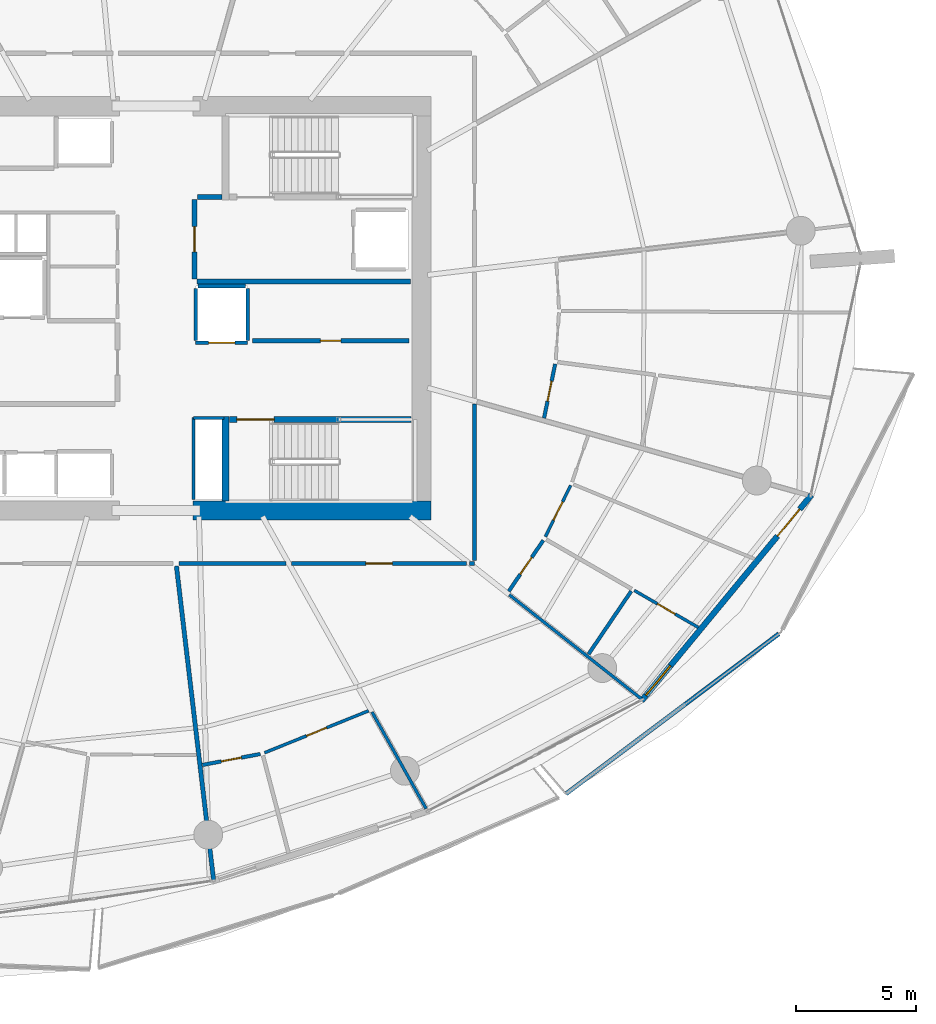
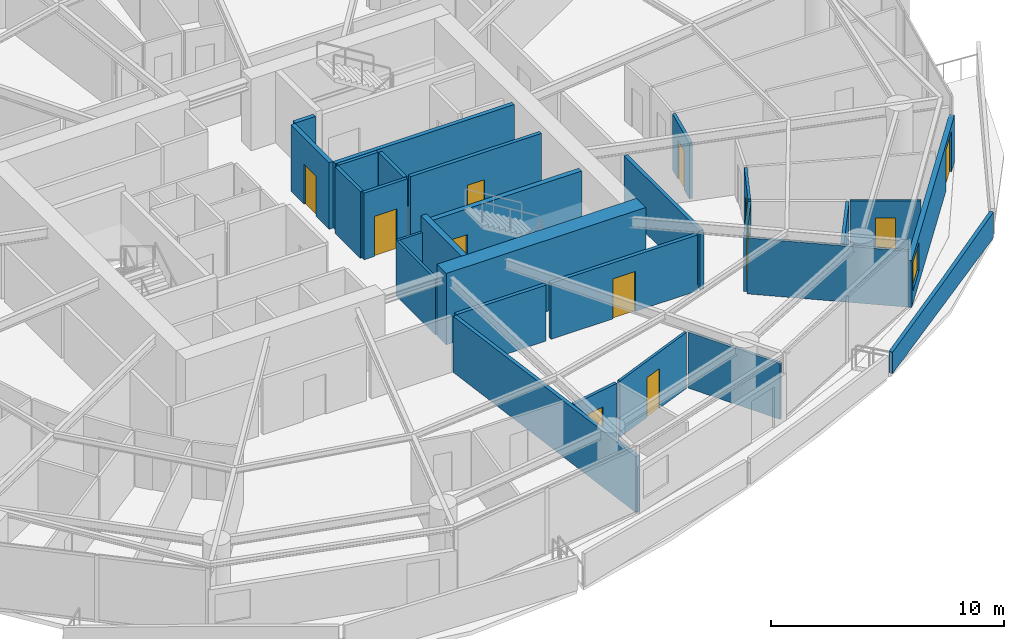
# One storey, part 13 of 23: 29 walls, 12 doors, 1 window, 13 openings.
"""IFC4 building model written with IfcOpenShell, lengths in metres."""

import ifcopenshell
import ifcopenshell.guid

model = None  # the IFC model being written
_history = None  # IfcOwnerHistory: only IFC2X3 demands one
_inside = {}  # id of a spatial element -> (the spatial element, [elements in it])
_under = {}  # id of a project, library or spatial element -> (it, [spatial elements below it])
_declared = {}  # id of a project -> (the project, [libraries it declares])
_typed = {}  # id of a type object -> (the type object, [elements of that type])
_made_of = {}  # id of a material, layer set ... -> (it, [elements and type objects made of it])


def new_model(schema):
    """Start an empty IFC model of exactly this schema.

    Asked for "IFC4X3", IfcOpenShell would pick the latest addendum, in which some entities
    have other attributes; the version numbers below select the first issue.
    IFC2X3 requires an IfcOwnerHistory on every rooted entity: one is made here for all.
    """
    global model, _history
    if schema == "IFC4X3":
        model = ifcopenshell.file(schema_version=(4, 3, 0, 0))
    else:
        model = ifcopenshell.file(schema=schema)
    _inside.clear()
    _under.clear()
    _declared.clear()
    _typed.clear()
    _made_of.clear()
    _history = None
    if model.schema == "IFC2X3":
        org = make("IfcOrganization", Name="unknown")
        user = make(
            "IfcPersonAndOrganization",
            ThePerson=make("IfcPerson", FamilyName="unknown"),
            TheOrganization=org,
        )
        app = make(
            "IfcApplication",
            ApplicationDeveloper=org,
            Version="unknown",
            ApplicationFullName="unknown",
            ApplicationIdentifier="unknown",
        )
        _history = make(
            "IfcOwnerHistory",
            OwningUser=user,
            OwningApplication=app,
            ChangeAction="ADDED",
            CreationDate=0,
        )
    return model


def make(cls, **values):
    """One entity of the class cls with the attributes given. An attribute that is None is left unset."""
    return model.create_entity(
        cls, **{name: value for name, value in values.items() if value is not None}
    )


def rooted(cls, **values):
    """An entity with a GlobalId (a new one), such as an element, a storey or a relation."""
    return make(cls, GlobalId=ifcopenshell.guid.new(), OwnerHistory=_history, **values)


def si_unit(unit_type, name, prefix=None):
    """IfcSIUnit, for example si_unit("LENGTHUNIT", "METRE", prefix="MILLI")."""
    return make("IfcSIUnit", UnitType=unit_type, Prefix=prefix, Name=name)


def assignment(units):
    """IfcUnitAssignment: the units of a project."""
    return None if units is None else make("IfcUnitAssignment", Units=units)


def point(xyz):
    """IfcCartesianPoint."""
    return None if xyz is None else make("IfcCartesianPoint", Coordinates=xyz)


def direction(xyz):
    """IfcDirection."""
    return None if xyz is None else make("IfcDirection", DirectionRatios=xyz)


def frame(location, z_axis=None, x_axis=None):
    """IfcAxis2Placement3D, a coordinate frame: its origin and axes. An axis left out is left unset."""
    return make(
        "IfcAxis2Placement3D",
        Location=point(location),
        Axis=direction(z_axis),
        RefDirection=direction(x_axis),
    )


def frame_2d(location, x_axis=None):
    """IfcAxis2Placement2D, a coordinate frame in the plane: its origin and x axis."""
    return make(
        "IfcAxis2Placement2D", Location=point(location), RefDirection=direction(x_axis)
    )


def origin():
    """The frame at (0, 0, 0) with its axes left unset."""
    return frame((0.0, 0.0, 0.0))


def place(relative_to, where):
    """IfcLocalPlacement: puts the frame where relative to a parent placement (None: the world)."""
    return make(
        "IfcLocalPlacement", PlacementRelTo=relative_to, RelativePlacement=where
    )


def context(
    kind, dimensions, precision=None, world=None, true_north=None, identifier=None
):
    """IfcGeometricRepresentationContext, for example the 3D "Model" context."""
    return make(
        "IfcGeometricRepresentationContext",
        ContextIdentifier=identifier,
        ContextType=kind,
        CoordinateSpaceDimension=dimensions,
        Precision=precision,
        WorldCoordinateSystem=world,
        TrueNorth=true_north,
    )


def subcontext(parent, identifier, kind, view, scale=None):
    """IfcGeometricRepresentationSubContext, for example "Body" below "Model"."""
    return make(
        "IfcGeometricRepresentationSubContext",
        ContextIdentifier=identifier,
        ContextType=kind,
        ParentContext=parent,
        TargetScale=scale,
        TargetView=view,
    )


def project(units=None, contexts=None):
    """IfcProject with its units and contexts."""
    return rooted(
        "IfcProject",
        Name="project",
        RepresentationContexts=contexts,
        UnitsInContext=assignment(units),
    )


def spatial(cls, under=None, at=None, **own):
    """A site, building, storey or space (cls), placed at a placement, below another one or the project."""
    s = rooted(cls, ObjectPlacement=at, **own)
    if under is not None:
        _under.setdefault(under.id(), (under, []))[1].append(s)
    return s


def polyline(points):
    """IfcPolyline through the points."""
    return make("IfcPolyline", Points=[point(p) for p in points])


def profile(cls, at=None, kind="AREA", **sizes):
    """A parametric profile (cls). Its sizes go by their IFC names, for example OverallWidth=200.0."""
    return make(cls, ProfileType=kind, Position=at, **sizes)


def rectangle(**sizes):
    """IfcRectangleProfileDef."""
    return profile("IfcRectangleProfileDef", **sizes)


def outline(outer, holes=None, kind="AREA"):
    """IfcArbitraryClosedProfileDef: a profile drawn as a closed curve; with holes, ...WithVoids."""
    if holes is None:
        return make("IfcArbitraryClosedProfileDef", ProfileType=kind, OuterCurve=outer)
    return make(
        "IfcArbitraryProfileDefWithVoids",
        ProfileType=kind,
        OuterCurve=outer,
        InnerCurves=holes,
    )


def extrude(swept, where, along, depth):
    """IfcExtrudedAreaSolid: the profile swept, set in the frame where, extruded along a direction by depth."""
    return make(
        "IfcExtrudedAreaSolid",
        SweptArea=swept,
        Position=where,
        ExtrudedDirection=direction(along),
        Depth=depth,
    )


def shape(context_of_items, identifier, shape_type, items):
    """IfcShapeRepresentation: the items that make up one representation, for example the "Body"."""
    return make(
        "IfcShapeRepresentation",
        ContextOfItems=context_of_items,
        RepresentationIdentifier=identifier,
        RepresentationType=shape_type,
        Items=items,
    )


def material(Name=None, Category=None):
    """IfcMaterial."""
    return make("IfcMaterial", Name=Name, Category=Category)


def layer(
    of_material, thickness, ventilated=None, Name=None, Category=None, Priority=None
):
    """IfcMaterialLayer: one layer of a wall or slab, of a material (None: an air gap)."""
    return make(
        "IfcMaterialLayer",
        Material=of_material,
        LayerThickness=thickness,
        IsVentilated=ventilated,
        Name=Name,
        Category=Category,
        Priority=Priority,
    )


def layer_set(layers, Name=None):
    """IfcMaterialLayerSet."""
    return make("IfcMaterialLayerSet", MaterialLayers=layers, LayerSetName=Name)


def made_of(thing, what):
    """Note that an element or type object is made of a material, layer set ...; save() writes the relation."""
    if what is not None:
        _made_of.setdefault(what.id(), (what, []))[1].append(thing)
    return thing


def type_object(cls, material=None, **own):
    """A type object (cls), such as IfcWallType, which elements share."""
    return made_of(rooted(cls, **own), material)


def element(
    cls,
    number,
    at=None,
    inside=None,
    cuts=None,
    type_object=None,
    material=None,
    context=None,
    identifier="Body",
    shape_type=None,
    held_by="IfcProductDefinitionShape",
    body=None,
    shapes=None,
    **own,
):
    """One element of the class cls, such as IfcWall. Its Tag is "e" and its number.

    at: its placement. inside: the storey or other place that contains it. cuts: it is an
    opening in that element (IfcRelVoidsElement). A single representation is given by context,
    identifier, shape_type and body (its items); several are given by shapes. held_by: the class
    of the entity that holds the representations. save() writes the other relations.
    """
    e = rooted(cls, Tag="e%d" % number, ObjectPlacement=at, **own)
    if body is not None:
        shapes = [shape(context, identifier, shape_type, body)]
    if shapes is not None:
        e.Representation = make(held_by, Representations=shapes)
    if inside is not None:
        _inside.setdefault(inside.id(), (inside, []))[1].append(e)
    if cuts is not None:
        rooted(
            "IfcRelVoidsElement", RelatingBuildingElement=cuts, RelatedOpeningElement=e
        )
    if type_object is not None:
        _typed.setdefault(type_object.id(), (type_object, []))[1].append(e)
    return made_of(e, material)


def fill(opening, filler):
    """IfcRelFillsElement: the door or window that sits in an opening."""
    return rooted(
        "IfcRelFillsElement",
        RelatingOpeningElement=opening,
        RelatedBuildingElement=filler,
    )


def aggregate(whole, parts):
    """IfcRelAggregates: a whole, such as a stair, and the parts it consists of."""
    return rooted("IfcRelAggregates", RelatingObject=whole, RelatedObjects=parts)


def save(model, path):
    """Write the relations noted so far, then the file.

    IfcRelAggregates (storeys below a building ...), IfcRelContainedInSpatialStructure (elements
    in a storey), IfcRelDefinesByType, IfcRelAssociatesMaterial and IfcRelDeclares: one each for
    every whole, place, type object, material and project.
    """
    for whole, parts in _under.values():
        aggregate(whole, parts)
    for where, things in _inside.values():
        rooted(
            "IfcRelContainedInSpatialStructure",
            RelatedElements=things,
            RelatingStructure=where,
        )
    for kind, things in _typed.values():
        rooted("IfcRelDefinesByType", RelatedObjects=things, RelatingType=kind)
    for what, things in _made_of.values():
        rooted("IfcRelAssociatesMaterial", RelatedObjects=things, RelatingMaterial=what)
    for by, libraries in _declared.values():
        rooted("IfcRelDeclares", RelatingContext=by, RelatedDefinitions=libraries)
    model.write(path)


model = new_model("IFC4")

# Units and contexts
model_context = context("Model", 3, precision=1e-05, world=origin(), true_north=direction((0.0, 1.0)))
body_context = subcontext(model_context, "Body", "Model", "MODEL_VIEW")
ifc_project = project(units=[si_unit("LENGTHUNIT", "METRE"), si_unit("AREAUNIT", "SQUARE_METRE"), si_unit("VOLUMEUNIT", "CUBIC_METRE"), si_unit("PLANEANGLEUNIT", "RADIAN"), si_unit("MASSUNIT", "GRAM", prefix="KILO")], contexts=[model_context])

# Site, building, storey
site_placement = place(None, origin())
site = spatial("IfcSite", under=ifc_project, at=site_placement, CompositionType="ELEMENT")
building_placement = place(site_placement, origin())
building = spatial("IfcBuilding", under=site, at=building_placement, Name="Kazma Halo Residences", CompositionType="ELEMENT")
storey_placement = place(building_placement, frame((0.0, 0.0, 82.64990234375)))
storey = spatial("IfcBuildingStorey", under=building, at=storey_placement, Name="L20", CompositionType="ELEMENT", Elevation=82.64990234375)

# Walls
ifc_material_1 = material(Name="White Concrete C50/60 Balustrade", Category="concrete")
ifc_layer_1 = layer(ifc_material_1, 0.179931640625)
ifc_layer_set_1 = layer_set([ifc_layer_1], Name="White Concrete C50/60 Balustrade")
wall_type_1 = type_object("IfcWallType", Name="WL-BAL-WAVE-180", PredefinedType="PARAPET", material=ifc_layer_set_1)
wall_1_placement = place(storey_placement, frame((65.44580078125, 21.82470703125, 0.0), z_axis=(0.0, 0.0, 1.0), x_axis=(0.799377932659, 0.600828528598, 0.0)))
element("IfcWall", 1, at=wall_1_placement, inside=storey, type_object=wall_type_1, Name="L20 white wave balustrade wall SE.1", PredefinedType="PARAPET", context=body_context, shape_type="SweptSolid", body=[
    extrude(outline(polyline([(0.0, 0.0), (11.0751953125, 0.0), (11.075439453125, 1.34814453125), (5.53759765625, 1.18212890625), (0.0, 1.1201171875), (0.0, 0.0)])), frame((0.0, 0.08984375, 0.0), z_axis=(0.0, -1.0, 0.0), x_axis=(1.0, 0.0, 0.0)), (0.0, 0.0, 1.0), 0.179931640625),
])
ifc_material_2 = material(Name="Concrete C80/95", Category="concrete")
ifc_layer_2 = layer(ifc_material_2, 0.800048828125)
ifc_layer_set_2 = layer_set([ifc_layer_2], Name="Concrete C80/95")
wall_type_2 = type_object("IfcWallType", Name="WL-CORE-800", PredefinedType="SHEAR", material=ifc_layer_set_2)
wall_2_placement = place(storey_placement, frame((49.949951171875, 33.60009765625, 0.0), z_axis=(0.0, 0.0, 1.0), x_axis=(1.0, 0.0, 0.0)))
element("IfcWall", 2, at=wall_2_placement, inside=storey, type_object=wall_type_2, Name="L20 central core shear wall SE", PredefinedType="SHEAR", context=body_context, shape_type="SweptSolid", body=[
    extrude(rectangle(XDim=9.900146484375, YDim=0.800048828125, at=frame_2d((4.9501953125, 0.0))), origin(), (0.0, 0.0, 1.0), 3.75),
])
ifc_material_3 = material(Name="Concrete C60/75", Category="concrete")
ifc_layer_3 = layer(ifc_material_3, 0.280029296875)
ifc_layer_set_3 = layer_set([ifc_layer_3], Name="Concrete C60/75")
wall_type_3 = type_object("IfcWallType", Name="WL-CORE-ST-280", PredefinedType="SHEAR", material=ifc_layer_set_3)
wall_3_placement = place(storey_placement, frame((51.31005859375, 34.0, 0.0), z_axis=(0.0, 0.0, 1.0), x_axis=(0.0, 1.0, 0.0)))
element("IfcWall", 3, at=wall_3_placement, inside=storey, type_object=wall_type_3, Name="L20 stairwell bearing wall ST03-W", PredefinedType="SHEAR", context=body_context, shape_type="SweptSolid", body=[
    extrude(rectangle(XDim=3.5, YDim=0.280029296875, at=frame_2d((1.75, 0.0))), origin(), (0.0, 0.0, 1.0), 3.75),
])
ifc_material_4 = material(Name="Acoustic Twin-Stud Gypsum")
ifc_layer_4 = layer(ifc_material_4, 0.179931640625)
ifc_layer_set_4 = layer_set([ifc_layer_4], Name="Acoustic Twin-Stud Gypsum")
wall_type_4 = type_object("IfcWallType", Name="WL-DEM-180", PredefinedType="PARTITIONING", material=ifc_layer_set_4)
wall_4_placement = place(storey_placement, frame((49.267578125, 31.290771484375, 0.0), z_axis=(0.0, 0.0, 1.0), x_axis=(0.117532311618, -0.993069058891, 0.0)))
element("IfcWall", 4, at=wall_4_placement, inside=storey, type_object=wall_type_4, Name="L20 apartment demising radial wall 11", PredefinedType="PARTITIONING", context=body_context, shape_type="SweptSolid", body=[
    extrude(rectangle(XDim=13.138427734375, YDim=0.179931640625, at=frame_2d((6.5693359375, 0.0))), origin(), (0.0, 0.0, 1.0), 2.940185546875),
])

# Wall, opening, door
wall_5_placement = place(storey_placement, frame((54.056396484375, 31.39990234375, 0.0), z_axis=(0.0, 0.0, 1.0), x_axis=(1.0, 0.0, 0.0)))
wall_5 = element("IfcWall", 5, at=wall_5_placement, inside=storey, type_object=wall_type_4, Name="L20 Apartment 3 entrance corridor wall", PredefinedType="PARTITIONING", context=body_context, shape_type="SweptSolid", body=[
    extrude(rectangle(XDim=7.26953125, YDim=0.179931640625, at=frame_2d((3.634765625, 0.0))), origin(), (0.0, 0.0, 1.0), 2.940185546875),
])
opening_1_placement = place(wall_5_placement, frame((3.0849609375, 0.0, 0.0)))
opening_1 = element("IfcOpeningElement", 6, at=opening_1_placement, cuts=wall_5, Name="Opening DA-1100", PredefinedType="OPENING", context=body_context, shape_type="SweptSolid", body=[
    extrude(rectangle(XDim=1.10009765625, YDim=2.10009765625, at=frame_2d((0.550048828125, 1.050048828125))), frame((0.0, 0.099853515625, 0.0), z_axis=(0.0, -1.0, 0.0), x_axis=(1.0, 0.0, 0.0)), (0.0, 0.0, 1.0), 0.199951171875),
])
ifc_material_5 = material(Name="Acoustic Walnut Fire Leaf")
door_type_1 = type_object("IfcDoorType", Name="DR-FD60-1100", OperationType="NOTDEFINED", PredefinedType="DOOR", material=ifc_material_5)
door_1_placement = place(opening_1_placement, origin())
door_1 = element("IfcDoor", 7, at=door_1_placement, inside=storey, type_object=door_type_1, Name="L20 Apartment 3 entrance fire door", OperationType="SINGLE_SWING_RIGHT", OverallHeight=2.10009765625, OverallWidth=1.10009765625, PredefinedType="DOOR", context=body_context, shape_type="SweptSolid", body=[
    extrude(rectangle(XDim=1.10009765625, YDim=2.10009765625, at=frame_2d((0.550048828125, 1.050048828125))), frame((0.0, 0.02490234375, 0.0), z_axis=(0.0, -1.0, 0.0), x_axis=(1.0, 0.0, 0.0)), (0.0, 0.0, 1.0), 0.050048828125),
])
fill(opening_1, door_1)

# Walls
wall_6_placement = place(storey_placement, frame((49.37451171875, 31.39990234375, 0.0), z_axis=(0.0, 0.0, 1.0), x_axis=(1.0, 0.0, 0.0)))
element("IfcWall", 8, at=wall_6_placement, inside=storey, type_object=wall_type_4, Name="L20 Apartment 3 inner wall 11", PredefinedType="PARTITIONING", context=body_context, shape_type="SweptSolid", body=[
    extrude(rectangle(XDim=4.44189453125, YDim=0.179931640625, at=frame_2d((2.220947265625, 0.0))), origin(), (0.0, 0.0, 1.0), 2.940185546875),
])
wall_7_placement = place(storey_placement, frame((61.446044921875, 31.39990234375, 0.0), z_axis=(0.0, 0.0, 1.0), x_axis=(1.0, 0.0, 0.0)))
element("IfcWall", 9, at=wall_7_placement, inside=storey, type_object=wall_type_4, Name="L20 Apartment 3 inner wall 13", PredefinedType="PARTITIONING", context=body_context, shape_type="SweptSolid", body=[
    extrude(rectangle(XDim=0.203857421875, YDim=0.179931640625, at=frame_2d((0.10205078125, 0.0))), origin(), (0.0, 0.0, 1.0), 2.940185546875),
])
wall_8_placement = place(storey_placement, frame((61.64990234375, 31.52001953125, 0.0), z_axis=(0.0, 0.0, 1.0), x_axis=(0.0, 1.0, 0.0)))
element("IfcWall", 10, at=wall_8_placement, inside=storey, type_object=wall_type_4, Name="L20 Apartment 3 inner wall 13", PredefinedType="PARTITIONING", context=body_context, shape_type="SweptSolid", body=[
    extrude(rectangle(XDim=6.51025390625, YDim=0.179931640625, at=frame_2d((3.255126953125, 0.0))), origin(), (0.0, 0.0, 1.0), 2.940185546875),
])

# Wall, openings, door, window
ifc_material_6 = material(Name="Insulated Pale-Metal Composite Wall")
ifc_layer_5 = layer(ifc_material_6, 0.239990234375)
ifc_layer_set_5 = layer_set([ifc_layer_5], Name="Insulated Pale-Metal Composite Wall")
wall_type_5 = type_object("IfcWallType", Name="WL-EXT-HOST-240", PredefinedType="SOLIDWALL", material=ifc_layer_set_5)
wall_9_placement = place(storey_placement, frame((68.593017578125, 25.7021484375, 0.0), z_axis=(0.0, 0.0, 1.0), x_axis=(0.636704975, 0.771107498868, 0.0)))
wall_9 = element("IfcWall", 11, at=wall_9_placement, inside=storey, type_object=wall_type_5, Name="L20 exterior terrace-access wall B14", PredefinedType="SOLIDWALL", context=body_context, shape_type="SweptSolid", body=[
    extrude(rectangle(XDim=11.084228515625, YDim=0.239990234375, at=frame_2d((5.5419921875, 0.0))), origin(), (0.0, 0.0, 1.0), 2.4501953125),
])
opening_2_placement = place(wall_9_placement, frame((8.8642578125, 0.0, 0.0)))
opening_2 = element("IfcOpeningElement", 12, at=opening_2_placement, cuts=wall_9, Name="Opening DTR-1600", PredefinedType="OPENING", context=body_context, shape_type="SweptSolid", body=[
    extrude(rectangle(XDim=1.449951171875, YDim=2.14990234375, at=frame_2d((0.72509765625, 1.074951171875))), frame((0.0, 0.1298828125, 0.0), z_axis=(0.0, -1.0, 0.0), x_axis=(1.0, 0.0, 0.0)), (0.0, 0.0, 1.0), 0.260009765625),
])
opening_3_placement = place(wall_9_placement, frame((0.280029296875, 0.0, 0.64990234375)))
opening_3 = element("IfcOpeningElement", 13, at=opening_3_placement, cuts=wall_9, Name="Opening W-1800", PredefinedType="OPENING", context=body_context, shape_type="SweptSolid", body=[
    extrude(rectangle(XDim=1.60009765625, YDim=1.5, at=frame_2d((0.800048828125, 0.75))), frame((0.0, 0.1298828125, 0.0), z_axis=(0.0, -1.0, 0.0), x_axis=(1.0, 0.0, 0.0)), (0.0, 0.0, 1.0), 0.260009765625),
])
ifc_material_7 = material(Name="Aluminium AW-6063 T6 Double-Glazed Terrace Door", Category="aluminium")
door_type_2 = type_object("IfcDoorType", Name="DR-EXT-TERR-1600", OperationType="NOTDEFINED", PredefinedType="DOOR", material=ifc_material_7)
door_2_placement = place(opening_2_placement, origin())
door_2 = element("IfcDoor", 14, at=door_2_placement, inside=storey, type_object=door_type_2, Name="L20 B14 balcony terrace door", OperationType="DOUBLE_DOOR_SLIDING", OverallHeight=2.14990234375, OverallWidth=1.449951171875, PredefinedType="DOOR", context=body_context, shape_type="SweptSolid", body=[
    extrude(rectangle(XDim=1.449951171875, YDim=2.14990234375, at=frame_2d((0.72509765625, 1.074951171875))), frame((0.0, 0.02490234375, 0.0), z_axis=(0.0, -1.0, 0.0), x_axis=(1.0, 0.0, 0.0)), (0.0, 0.0, 1.0), 0.050048828125),
])
fill(opening_2, door_2)
ifc_material_8 = material(Name="Clear Triple-Silver Low-E Glass in Aluminium AW-6063 T6 Frame", Category="aluminium")
window_type = type_object("IfcWindowType", Name="WIN-RES-1800", PartitioningType="DOUBLE_PANEL_VERTICAL", PredefinedType="WINDOW", material=ifc_material_8)
window_placement = place(opening_3_placement, origin())
window = element("IfcWindow", 15, at=window_placement, inside=storey, type_object=window_type, Name="L20 B14 apartment window", OverallHeight=1.5, OverallWidth=1.60009765625, PartitioningType="SINGLE_PANEL", PredefinedType="WINDOW", context=body_context, shape_type="SweptSolid", body=[
    extrude(rectangle(XDim=1.60009765625, YDim=1.5, at=frame_2d((0.800048828125, 0.75))), frame((0.0, 0.030029296875, 0.0), z_axis=(0.0, -1.0, 0.0), x_axis=(1.0, 0.0, 0.0)), (0.0, 0.0, 1.0), 0.06005859375),
])
fill(opening_3, window)

# Wall, opening, door
ifc_material_9 = material(Name="Fire-Rated Blockwork Masonry", Category="masonry")
ifc_layer_6 = layer(ifc_material_9, 0.199951171875)
ifc_layer_set_6 = layer_set([ifc_layer_6], Name="Fire-Rated Blockwork Masonry")
wall_type_6 = type_object("IfcWallType", Name="WL-FLB-200", PredefinedType="PARTITIONING", material=ifc_layer_set_6)
wall_10_placement = place(storey_placement, frame((52.22998046875, 40.570068359375, 0.0), z_axis=(0.0, 0.0, 1.0), x_axis=(-1.0, 0.0, 0.0)))
wall_10 = element("IfcWall", 16, at=wall_10_placement, inside=storey, type_object=wall_type_6, Name="L20 lift shaft SV-01 front wall", PredefinedType="PARTITIONING", context=body_context, shape_type="SweptSolid", body=[
    extrude(rectangle(XDim=2.159912109375, YDim=0.159912109375, at=frame_2d((1.080078125, 0.0))), origin(), (0.0, 0.0, 1.0), 3.5),
])
opening_4_placement = place(wall_10_placement, frame((0.530029296875, 0.0, 0.0)))
opening_4 = element("IfcOpeningElement", 17, at=opening_4_placement, cuts=wall_10, Name="Opening LD-SV-01", PredefinedType="OPENING", context=body_context, shape_type="SweptSolid", body=[
    extrude(rectangle(XDim=1.10009765625, YDim=2.10009765625, at=frame_2d((0.550048828125, 1.050048828125))), frame((0.0, 0.08984375, 0.0), z_axis=(0.0, -1.0, 0.0), x_axis=(1.0, 0.0, 0.0)), (0.0, 0.0, 1.0), 0.179931640625),
])
ifc_material_10 = material(Name="Stainless Steel Fire-Rated", Category="steel")
door_type_3 = type_object("IfcDoorType", Name="DR-LIFT-SLD-1100", OperationType="DOUBLE_DOOR_SLIDING", PredefinedType="DOOR", material=ifc_material_10)
door_3_placement = place(opening_4_placement, origin())
door_3 = element("IfcDoor", 18, at=door_3_placement, inside=storey, type_object=door_type_3, Name="L20 lift SV-01 sliding landing door", OperationType="DOUBLE_DOOR_SLIDING", OverallHeight=2.10009765625, OverallWidth=1.10009765625, PredefinedType="DOOR", context=body_context, shape_type="SweptSolid", body=[
    extrude(rectangle(XDim=1.10009765625, YDim=2.10009765625, at=frame_2d((0.550048828125, 1.050048828125))), frame((0.0, 0.02490234375, 0.0), z_axis=(0.0, -1.0, 0.0), x_axis=(1.0, 0.0, 0.0)), (0.0, 0.0, 1.0), 0.050048828125),
])
fill(opening_4, door_3)

# Walls
for number, where, z_axis, x_axis, name in (
    (19, (52.22998046875, 40.669921875, 0.0), (0.0, 0.0, 1.0), (0.0, 1.0, 0.0), "L20 lift shaft SV-01 side wall E"),
    (20, (50.070068359375, 40.669921875, 0.0), (0.0, 0.0, 1.0), (0.0, 1.0, 0.0), "L20 lift shaft SV-01 side wall W"),
):
    element("IfcWall", number, at=place(storey_placement, frame(where, z_axis=z_axis, x_axis=x_axis)), inside=storey, type_object=wall_type_6, Name=name, PredefinedType="PARTITIONING", context=body_context, shape_type="SweptSolid", body=[
        extrude(rectangle(XDim=2.16015625, YDim=0.159912109375, at=frame_2d((1.080078125, 0.0))), origin(), (0.0, 0.0, 1.0), 3.5),
    ])
wall_11_placement = place(storey_placement, frame((50.169921875, 42.929931640625, 0.0), z_axis=(0.0, 0.0, 1.0), x_axis=(1.0, 0.0, 0.0)))
element("IfcWall", 21, at=wall_11_placement, inside=storey, type_object=wall_type_6, Name="L20 lift shaft SV-01 side wall N", PredefinedType="PARTITIONING", context=body_context, shape_type="SweptSolid", body=[
    extrude(rectangle(XDim=1.9599609375, YDim=0.159912109375, at=frame_2d((0.97998046875, 0.0))), origin(), (0.0, 0.0, 1.0), 3.5),
])

# Wall, opening, door
wall_12_placement = place(storey_placement, frame((52.419921875, 40.64990234375, 0.0), z_axis=(0.0, 0.0, 1.0), x_axis=(1.0, 0.0, 0.0)))
wall_12 = element("IfcWall", 22, at=wall_12_placement, inside=storey, type_object=wall_type_6, Name="L20 core east reserve wall", PredefinedType="PARTITIONING", context=body_context, shape_type="SweptSolid", body=[
    extrude(rectangle(XDim=6.5, YDim=0.179931640625, at=frame_2d((3.25, 0.0))), origin(), (0.0, 0.0, 1.0), 3.5),
])
opening_5_placement = place(wall_12_placement, frame((2.824951171875, 0.0, 0.0)))
opening_5 = element("IfcOpeningElement", 23, at=opening_5_placement, cuts=wall_12, Name="Opening DS-850", PredefinedType="OPENING", context=body_context, shape_type="SweptSolid", body=[
    extrude(rectangle(XDim=0.85009765625, YDim=2.06005859375, at=frame_2d((0.425048828125, 1.030029296875))), frame((0.0, 0.099853515625, 0.0), z_axis=(0.0, -1.0, 0.0), x_axis=(1.0, 0.0, 0.0)), (0.0, 0.0, 1.0), 0.199951171875),
])
ifc_material_11 = material(Name="Painted Steel Access Leaf", Category="steel")
door_type_4 = type_object("IfcDoorType", Name="DR-SVC-850", OperationType="NOTDEFINED", PredefinedType="DOOR", material=ifc_material_11)
door_4_placement = place(opening_5_placement, origin())
door_4 = element("IfcDoor", 24, at=door_4_placement, inside=storey, type_object=door_type_4, Name="L20 core east reserve door", OperationType="SINGLE_SWING_LEFT", OverallHeight=2.06005859375, OverallWidth=0.85009765625, PredefinedType="DOOR", context=body_context, shape_type="SweptSolid", body=[
    extrude(rectangle(XDim=0.85009765625, YDim=2.06005859375, at=frame_2d((0.425048828125, 1.030029296875))), frame((0.0, 0.02490234375, 0.0), z_axis=(0.0, -1.0, 0.0), x_axis=(1.0, 0.0, 0.0)), (0.0, 0.0, 1.0), 0.050048828125),
])
fill(opening_5, door_4)

# Walls
wall_13_placement = place(storey_placement, frame((50.1201171875, 43.1201171875, 0.0), z_axis=(0.0, 0.0, 1.0), x_axis=(1.0, 0.0, 0.0)))
element("IfcWall", 25, at=wall_13_placement, inside=storey, type_object=wall_type_6, Name="L20 east firefighting lobby south smoke wall", PredefinedType="PARTITIONING", context=body_context, shape_type="SweptSolid", body=[
    extrude(rectangle(XDim=8.8798828125, YDim=0.199951171875, at=frame_2d((4.43994140625, 0.0))), origin(), (0.0, 0.0, 1.0), 3.5),
])
wall_14_placement = place(storey_placement, frame((50.139892578125, 46.6201171875, 0.0), z_axis=(0.0, 0.0, 1.0), x_axis=(1.0, 0.0, 0.0)))
element("IfcWall", 26, at=wall_14_placement, inside=storey, type_object=wall_type_6, Name="L20 east firefighting lobby north closure wall", PredefinedType="PARTITIONING", context=body_context, shape_type="SweptSolid", body=[
    extrude(rectangle(XDim=1.02001953125, YDim=0.199951171875, at=frame_2d((0.510009765625, 0.0))), origin(), (0.0, 0.0, 1.0), 3.5),
])

# Wall, opening, door
wall_15_placement = place(storey_placement, frame((50.02001953125, 43.219970703125, 0.0), z_axis=(0.0, 0.0, 1.0), x_axis=(0.0, 1.0, 0.0)))
wall_15 = element("IfcWall", 27, at=wall_15_placement, inside=storey, type_object=wall_type_6, Name="L20 east firefighting lobby smoke wall", PredefinedType="PARTITIONING", context=body_context, shape_type="SweptSolid", body=[
    extrude(rectangle(XDim=3.300048828125, YDim=0.199951171875, at=frame_2d((1.64990234375, 0.0))), origin(), (0.0, 0.0, 1.0), 3.5),
])
opening_6_placement = place(wall_15_placement, frame((1.125, 0.0, 0.0)))
opening_6 = element("IfcOpeningElement", 28, at=opening_6_placement, cuts=wall_15, Name="Opening D-FLE", PredefinedType="OPENING", context=body_context, shape_type="SweptSolid", body=[
    extrude(rectangle(XDim=1.050048828125, YDim=2.10009765625, at=frame_2d((0.52490234375, 1.050048828125))), frame((0.0, 0.10986328125, 0.0), z_axis=(0.0, -1.0, 0.0), x_axis=(1.0, 0.0, 0.0)), (0.0, 0.0, 1.0), 0.219970703125),
])
ifc_material_12 = material(Name="Fire-Rated Steel Leaf", Category="steel")
door_type_5 = type_object("IfcDoorType", Name="DR-FD90-1050", OperationType="NOTDEFINED", PredefinedType="DOOR", material=ifc_material_12)
door_5_placement = place(opening_6_placement, origin())
door_5 = element("IfcDoor", 29, at=door_5_placement, inside=storey, type_object=door_type_5, Name="L20 east firefighting lobby smoke door", OperationType="SINGLE_SWING_RIGHT", OverallHeight=2.10009765625, OverallWidth=1.050048828125, PredefinedType="DOOR", context=body_context, shape_type="SweptSolid", body=[
    extrude(rectangle(XDim=1.050048828125, YDim=2.10009765625, at=frame_2d((0.52490234375, 1.050048828125))), frame((0.0, 0.02490234375, 0.0), z_axis=(0.0, -1.0, 0.0), x_axis=(1.0, 0.0, 0.0)), (0.0, 0.0, 1.0), 0.050048828125),
])
fill(opening_6, door_5)

# Walls
ifc_material_13 = material(Name="Gypsum Plasterboard Partition")
ifc_layer_7 = layer(ifc_material_13, 0.125)
ifc_layer_set_7 = layer_set([ifc_layer_7], Name="Gypsum Plasterboard Partition")
wall_type_7 = type_object("IfcWallType", Name="WL-PART-125", PredefinedType="PARTITIONING", material=ifc_layer_set_7)
wall_16_placement = place(storey_placement, frame((49.97998046875, 34.06005859375, 0.0), z_axis=(0.0, 0.0, 1.0), x_axis=(0.0, 1.0, 0.0)))
element("IfcWall", 30, at=wall_16_placement, inside=storey, type_object=wall_type_7, Name="L20 standpipe riser wall", PredefinedType="PARTITIONING", context=body_context, shape_type="SweptSolid", body=[
    extrude(rectangle(XDim=3.39990234375, YDim=0.125, at=frame_2d((1.699951171875, 0.0))), origin(), (0.0, 0.0, 1.0), 2.940185546875),
])
wall_17_placement = place(storey_placement, frame((49.97998046875, 37.43994140625, 0.0), z_axis=(0.0, 0.0, 1.0), x_axis=(1.0, 0.0, 0.0)))
element("IfcWall", 31, at=wall_17_placement, inside=storey, type_object=wall_type_7, Name="L20 standpipe riser north wall", PredefinedType="PARTITIONING", context=body_context, shape_type="SweptSolid", body=[
    extrude(rectangle(XDim=1.260009765625, YDim=0.125, at=frame_2d((0.6298828125, 0.0))), origin(), (0.0, 0.0, 1.0), 2.940185546875),
])
wall_18_placement = place(storey_placement, frame((57.392333984375, 25.22900390625, 0.0), z_axis=(0.0, 0.0, 1.0), x_axis=(0.488604984913, -0.872505110998, 0.0)))
element("IfcWall", 32, at=wall_18_placement, inside=storey, type_object=wall_type_7, Name="L20 Apartment 3 living radial partition 11", PredefinedType="PARTITIONING", context=body_context, shape_type="SweptSolid", body=[
    extrude(rectangle(XDim=4.600341796875, YDim=0.125, at=frame_2d((2.30029296875, 0.0))), origin(), (0.0, 0.0, 1.0), 2.940185546875),
])

# Wall, opening, door
wall_19_placement = place(storey_placement, frame((52.92626953125, 23.53515625, 0.0), z_axis=(0.0, 0.0, 1.0), x_axis=(0.927447622914, 0.373953080949, 0.0)))
wall_19 = element("IfcWall", 33, at=wall_19_placement, inside=storey, type_object=wall_type_7, Name="L20 Apartment 3 Gourmet Kitchen hall wall", PredefinedType="PARTITIONING", context=body_context, shape_type="SweptSolid", body=[
    extrude(rectangle(XDim=4.662841796875, YDim=0.125, at=frame_2d((2.33154296875, 0.0))), origin(), (0.0, 0.0, 1.0), 2.940185546875),
])
opening_7_placement = place(wall_19_placement, frame((1.88134765625, 0.0, 0.0)))
opening_7 = element("IfcOpeningElement", 34, at=opening_7_placement, cuts=wall_19, Name="Opening DI-950", PredefinedType="OPENING", context=body_context, shape_type="SweptSolid", body=[
    extrude(rectangle(XDim=0.89990234375, YDim=2.080078125, at=frame_2d((0.449951171875, 1.0400390625))), frame((0.0, 0.072509765625, 0.0), z_axis=(0.0, -1.0, 0.0), x_axis=(1.0, 0.0, 0.0)), (0.0, 0.0, 1.0), 0.14501953125),
])
ifc_material_14 = material(Name="Timber Veneer Flush Leaf", Category="wood")
door_type_6 = type_object("IfcDoorType", Name="DR-INT-950", OperationType="NOTDEFINED", PredefinedType="DOOR", material=ifc_material_14)
door_6_placement = place(opening_7_placement, origin())
door_6 = element("IfcDoor", 35, at=door_6_placement, inside=storey, type_object=door_type_6, Name="L20 Apartment 3 Gourmet Kitchen door", OperationType="SINGLE_SWING_RIGHT", OverallHeight=2.080078125, OverallWidth=0.89990234375, PredefinedType="DOOR", context=body_context, shape_type="SweptSolid", body=[
    extrude(rectangle(XDim=0.89990234375, YDim=2.080078125, at=frame_2d((0.449951171875, 1.0400390625))), frame((0.0, 0.02490234375, 0.0), z_axis=(0.0, -1.0, 0.0), x_axis=(1.0, 0.0, 0.0)), (0.0, 0.0, 1.0), 0.050048828125),
])
fill(opening_7, door_6)

# Wall
wall_20_placement = place(storey_placement, frame((63.09521484375, 30.099853515625, 0.0), z_axis=(0.0, 0.0, 1.0), x_axis=(0.78530300145, -0.6191116183, 0.0)))
element("IfcWall", 36, at=wall_20_placement, inside=storey, type_object=wall_type_7, Name="L20 Apartment 3 radial partition 13", PredefinedType="PARTITIONING", context=body_context, shape_type="SweptSolid", body=[
    extrude(rectangle(XDim=7.01611328125, YDim=0.125, at=frame_2d((3.508056640625, 0.0))), origin(), (0.0, 0.0, 1.0), 2.940185546875),
])

# Wall, opening, door
wall_21_placement = place(storey_placement, frame((68.28955078125, 30.27880859375, 0.0), z_axis=(0.0, 0.0, 1.0), x_axis=(0.865901850726, -0.50021393914, 0.0)))
wall_21 = element("IfcWall", 37, at=wall_21_placement, inside=storey, type_object=wall_type_7, Name="L20 Apartment 3 West Walk-In Wardrobe partition wall", PredefinedType="PARTITIONING", context=body_context, shape_type="SweptSolid", body=[
    extrude(rectangle(XDim=3.067138671875, YDim=0.125, at=frame_2d((1.53369140625, 0.0))), origin(), (0.0, 0.0, 1.0), 2.940185546875),
])
opening_8_placement = place(wall_21_placement, frame((1.1083984375, 0.0, 0.0)))
opening_8 = element("IfcOpeningElement", 38, at=opening_8_placement, cuts=wall_21, Name="Opening DB-900", PredefinedType="OPENING", context=body_context, shape_type="SweptSolid", body=[
    extrude(rectangle(XDim=0.85009765625, YDim=2.06005859375, at=frame_2d((0.425048828125, 1.030029296875))), frame((0.0, 0.072509765625, 0.0), z_axis=(0.0, -1.0, 0.0), x_axis=(1.0, 0.0, 0.0)), (0.0, 0.0, 1.0), 0.14501953125),
])
ifc_material_15 = material(Name="Moisture-Sealed Timber Leaf", Category="wood")
door_type_7 = type_object("IfcDoorType", Name="DR-BTH-900", OperationType="NOTDEFINED", PredefinedType="DOOR", material=ifc_material_15)
door_7_placement = place(opening_8_placement, origin())
door_7 = element("IfcDoor", 39, at=door_7_placement, inside=storey, type_object=door_type_7, Name="L20 Apartment 3 West Walk-In Wardrobe door", OperationType="SINGLE_SWING_LEFT", OverallHeight=2.06005859375, OverallWidth=0.85009765625, PredefinedType="DOOR", context=body_context, shape_type="SweptSolid", body=[
    extrude(rectangle(XDim=0.85009765625, YDim=2.06005859375, at=frame_2d((0.425048828125, 1.030029296875))), frame((0.0, 0.02490234375, 0.0), z_axis=(0.0, -1.0, 0.0), x_axis=(1.0, 0.0, 0.0)), (0.0, 0.0, 1.0), 0.050048828125),
])
fill(opening_8, door_7)

wall_22_placement = place(storey_placement, frame((64.597412109375, 32.515380859375, 0.0), z_axis=(0.0, 0.0, 1.0), x_axis=(0.441489261257, 0.897266533531, 0.0)))
wall_22 = element("IfcWall", 40, at=wall_22_placement, inside=storey, type_object=wall_type_7, Name="L20 Apartment 3 North Private Study hall wall", PredefinedType="PARTITIONING", context=body_context, shape_type="SweptSolid", body=[
    extrude(rectangle(XDim=2.375, YDim=0.125, at=frame_2d((1.1875, 0.0))), origin(), (0.0, 0.0, 1.0), 2.940185546875),
])
opening_9_placement = place(wall_22_placement, frame((0.762451171875, 0.0, 0.0)))
opening_9 = element("IfcOpeningElement", 41, at=opening_9_placement, cuts=wall_22, Name="Opening DB-900", PredefinedType="OPENING", context=body_context, shape_type="SweptSolid", body=[
    extrude(rectangle(XDim=0.85009765625, YDim=2.06005859375, at=frame_2d((0.425048828125, 1.030029296875))), frame((0.0, 0.072509765625, 0.0), z_axis=(0.0, -1.0, 0.0), x_axis=(1.0, 0.0, 0.0)), (0.0, 0.0, 1.0), 0.14501953125),
])
door_8_placement = place(opening_9_placement, origin())
door_8 = element("IfcDoor", 42, at=door_8_placement, inside=storey, type_object=door_type_7, Name="L20 Apartment 3 North Private Study door", OperationType="SINGLE_SWING_RIGHT", OverallHeight=2.06005859375, OverallWidth=0.85009765625, PredefinedType="DOOR", context=body_context, shape_type="SweptSolid", body=[
    extrude(rectangle(XDim=0.85009765625, YDim=2.06005859375, at=frame_2d((0.425048828125, 1.030029296875))), frame((0.0, 0.02490234375, 0.0), z_axis=(0.0, -1.0, 0.0), x_axis=(1.0, 0.0, 0.0)), (0.0, 0.0, 1.0), 0.050048828125),
])
fill(opening_9, door_8)

ifc_material_16 = material(Name="Concrete C50/60", Category="concrete")
ifc_layer_8 = layer(ifc_material_16, 0.25)
ifc_layer_set_8 = layer_set([ifc_layer_8], Name="Concrete C50/60")
wall_type_8 = type_object("IfcWallType", Name="WL-SHF-250", PredefinedType="SOLIDWALL", material=ifc_layer_set_8)
wall_23_placement = place(storey_placement, frame((51.47998046875, 37.3798828125, 0.0), z_axis=(0.0, 0.0, 1.0), x_axis=(1.0, 0.0, 0.0)))
wall_23 = element("IfcWall", 43, at=wall_23_placement, inside=storey, type_object=wall_type_8, Name="L20 exit stair ST-03 enclosure wall", PredefinedType="SOLIDWALL", context=body_context, shape_type="SweptSolid", body=[
    extrude(rectangle(XDim=7.5400390625, YDim=0.25, at=frame_2d((3.77001953125, 0.0))), origin(), (0.0, 0.0, 1.0), 3.5),
])
opening_10_placement = place(wall_23_placement, frame((0.300048828125, 0.0, 0.0)))
opening_10 = element("IfcOpeningElement", 44, at=opening_10_placement, cuts=wall_23, Name="Opening D-ST3", PredefinedType="OPENING", context=body_context, shape_type="SweptSolid", body=[
    extrude(rectangle(XDim=1.550048828125, YDim=2.14990234375, at=frame_2d((0.77490234375, 1.074951171875))), frame((0.0, 0.135009765625, 0.0), z_axis=(0.0, -1.0, 0.0), x_axis=(1.0, 0.0, 0.0)), (0.0, 0.0, 1.0), 0.27001953125),
])
ifc_material_17 = material(Name="Fire-Rated Double Steel Leaf", Category="steel")
door_type_8 = type_object("IfcDoorType", Name="DR-FD90-1550", OperationType="NOTDEFINED", PredefinedType="DOOR", material=ifc_material_17)
door_9_placement = place(opening_10_placement, origin())
door_9 = element("IfcDoor", 45, at=door_9_placement, inside=storey, type_object=door_type_8, Name="L20 exit stair ST-03 fire door", OperationType="DOUBLE_DOOR_SINGLE_SWING", OverallHeight=2.14990234375, OverallWidth=1.550048828125, PredefinedType="DOOR", context=body_context, shape_type="SweptSolid", body=[
    extrude(rectangle(XDim=1.550048828125, YDim=2.14990234375, at=frame_2d((0.77490234375, 1.074951171875))), frame((0.0, 0.02490234375, 0.0), z_axis=(0.0, -1.0, 0.0), x_axis=(1.0, 0.0, 0.0)), (0.0, 0.0, 1.0), 0.050048828125),
])
fill(opening_10, door_9)

ifc_material_18 = material(Name="Moisture-Resistant Gypsum")
ifc_layer_9 = layer(ifc_material_18, 0.14990234375)
ifc_layer_set_9 = layer_set([ifc_layer_9], Name="Moisture-Resistant Gypsum")
wall_type_9 = type_object("IfcWallType", Name="WL-WET-150", PredefinedType="PARTITIONING", material=ifc_layer_set_9)
wall_24_placement = place(storey_placement, frame((50.345947265625, 23.029052734375, 0.0), z_axis=(0.0, 0.0, 1.0), x_axis=(0.982576637083, 0.185857881885, 0.0)))
wall_24 = element("IfcWall", 46, at=wall_24_placement, inside=storey, type_object=wall_type_9, Name="L20 Apartment 3 Guest Bathroom hall wall", PredefinedType="PARTITIONING", context=body_context, shape_type="SweptSolid", body=[
    extrude(rectangle(XDim=2.451171875, YDim=0.14990234375, at=frame_2d((1.2255859375, 0.0))), origin(), (0.0, 0.0, 1.0), 2.940185546875),
])
opening_11_placement = place(wall_24_placement, frame((0.800537109375, 0.0, 0.0)))
opening_11 = element("IfcOpeningElement", 47, at=opening_11_placement, cuts=wall_24, Name="Opening DB-900", PredefinedType="OPENING", context=body_context, shape_type="SweptSolid", body=[
    extrude(rectangle(XDim=0.85009765625, YDim=2.06005859375, at=frame_2d((0.425048828125, 1.030029296875))), frame((0.0, 0.0849609375, 0.0), z_axis=(0.0, -1.0, 0.0), x_axis=(1.0, 0.0, 0.0)), (0.0, 0.0, 1.0), 0.169921875),
])
door_10_placement = place(opening_11_placement, origin())
door_10 = element("IfcDoor", 48, at=door_10_placement, inside=storey, type_object=door_type_7, Name="L20 Apartment 3 Guest Bathroom door", OperationType="SINGLE_SWING_RIGHT", OverallHeight=2.06005859375, OverallWidth=0.85009765625, PredefinedType="DOOR", context=body_context, shape_type="SweptSolid", body=[
    extrude(rectangle(XDim=0.85009765625, YDim=2.06005859375, at=frame_2d((0.425048828125, 1.030029296875))), frame((0.0, 0.02490234375, 0.0), z_axis=(0.0, -1.0, 0.0), x_axis=(1.0, 0.0, 0.0)), (0.0, 0.0, 1.0), 0.050048828125),
])
fill(opening_11, door_10)

wall_25_placement = place(storey_placement, frame((63.072998046875, 30.244384765625, 0.0), z_axis=(0.0, 0.0, 1.0), x_axis=(0.561076223922, 0.827764139685, 0.0)))
wall_25 = element("IfcWall", 49, at=wall_25_placement, inside=storey, type_object=wall_type_9, Name="L20 Apartment 3 East En-Suite Bathroom hall wall", PredefinedType="PARTITIONING", context=body_context, shape_type="SweptSolid", body=[
    extrude(rectangle(XDim=2.555908203125, YDim=0.14990234375, at=frame_2d((1.27783203125, 0.0))), origin(), (0.0, 0.0, 1.0), 2.940185546875),
])
opening_12_placement = place(wall_25_placement, frame((0.85302734375, 0.0, 0.0)))
opening_12 = element("IfcOpeningElement", 50, at=opening_12_placement, cuts=wall_25, Name="Opening DB-900", PredefinedType="OPENING", context=body_context, shape_type="SweptSolid", body=[
    extrude(rectangle(XDim=0.85009765625, YDim=2.06005859375, at=frame_2d((0.425048828125, 1.030029296875))), frame((0.0, 0.0849609375, 0.0), z_axis=(0.0, -1.0, 0.0), x_axis=(1.0, 0.0, 0.0)), (0.0, 0.0, 1.0), 0.169921875),
])
door_11_placement = place(opening_12_placement, origin())
door_11 = element("IfcDoor", 51, at=door_11_placement, inside=storey, type_object=door_type_7, Name="L20 Apartment 3 East En-Suite Bathroom door", OperationType="SINGLE_SWING_RIGHT", OverallHeight=2.06005859375, OverallWidth=0.85009765625, PredefinedType="DOOR", context=body_context, shape_type="SweptSolid", body=[
    extrude(rectangle(XDim=0.85009765625, YDim=2.06005859375, at=frame_2d((0.425048828125, 1.030029296875))), frame((0.0, 0.02490234375, 0.0), z_axis=(0.0, -1.0, 0.0), x_axis=(1.0, 0.0, 0.0)), (0.0, 0.0, 1.0), 0.050048828125),
])
fill(opening_12, door_11)

# Wall
wall_26_placement = place(storey_placement, frame((66.386962890625, 27.6318359375, 0.0), z_axis=(0.0, 0.0, 1.0), x_axis=(0.561080301856, 0.82776137556, 0.0)))
element("IfcWall", 52, at=wall_26_placement, inside=storey, type_object=wall_type_9, Name="L20 Apartment 3 East En-Suite Bathroom back wall", PredefinedType="PARTITIONING", context=body_context, shape_type="SweptSolid", body=[
    extrude(rectangle(XDim=3.162109375, YDim=0.14990234375, at=frame_2d((1.5810546875, 0.0))), origin(), (0.0, 0.0, 1.0), 2.940185546875),
])

# Wall, opening, door
wall_27_placement = place(storey_placement, frame((64.54052734375, 37.438720703125, 0.0), z_axis=(0.0, 0.0, 1.0), x_axis=(0.201145672032, 0.979561339898, 0.0)))
wall_27 = element("IfcWall", 53, at=wall_27_placement, inside=storey, type_object=wall_type_9, Name="L20 Apartment 4 Guest Bathroom hall wall", PredefinedType="PARTITIONING", context=body_context, shape_type="SweptSolid", body=[
    extrude(rectangle(XDim=2.295166015625, YDim=0.14990234375, at=frame_2d((1.1474609375, 0.0))), origin(), (0.0, 0.0, 1.0), 2.940185546875),
])
opening_13_placement = place(wall_27_placement, frame((0.722412109375, 0.0, 0.0)))
opening_13 = element("IfcOpeningElement", 54, at=opening_13_placement, cuts=wall_27, Name="Opening DB-900", PredefinedType="OPENING", context=body_context, shape_type="SweptSolid", body=[
    extrude(rectangle(XDim=0.85009765625, YDim=2.06005859375, at=frame_2d((0.425048828125, 1.030029296875))), frame((0.0, 0.0849609375, 0.0), z_axis=(0.0, -1.0, 0.0), x_axis=(1.0, 0.0, 0.0)), (0.0, 0.0, 1.0), 0.169921875),
])
door_12_placement = place(opening_13_placement, origin())
door_12 = element("IfcDoor", 55, at=door_12_placement, inside=storey, type_object=door_type_7, Name="L20 Apartment 4 Guest Bathroom door", OperationType="SINGLE_SWING_LEFT", OverallHeight=2.06005859375, OverallWidth=0.85009765625, PredefinedType="DOOR", context=body_context, shape_type="SweptSolid", body=[
    extrude(rectangle(XDim=0.85009765625, YDim=2.06005859375, at=frame_2d((0.425048828125, 1.030029296875))), frame((0.0, 0.02490234375, 0.0), z_axis=(0.0, -1.0, 0.0), x_axis=(1.0, 0.0, 0.0)), (0.0, 0.0, 1.0), 0.050048828125),
])
fill(opening_13, door_12)

save(model, "model.ifc")
